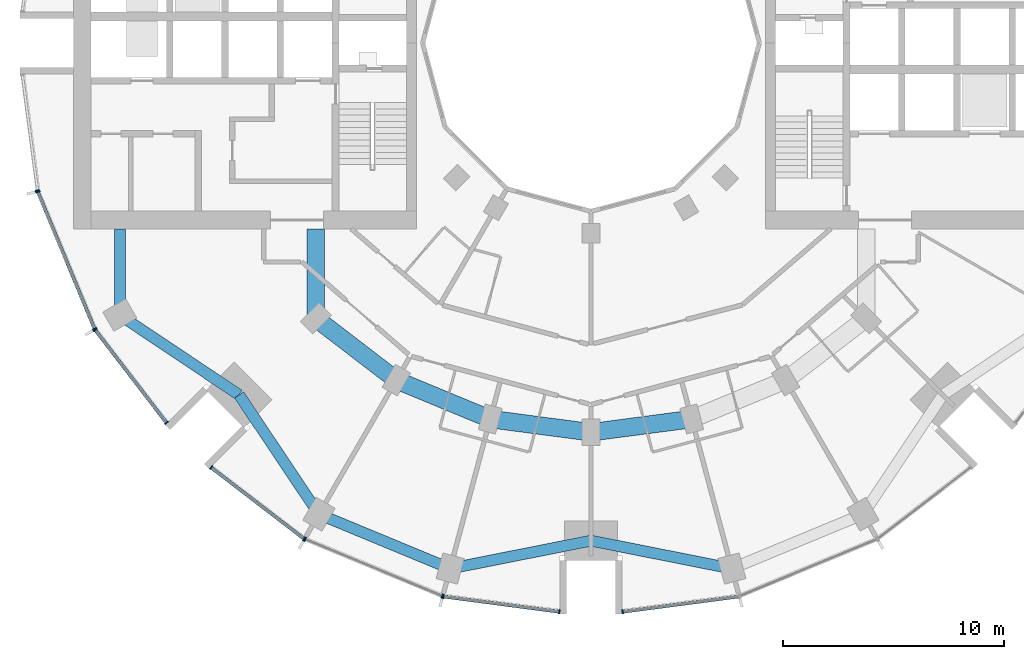
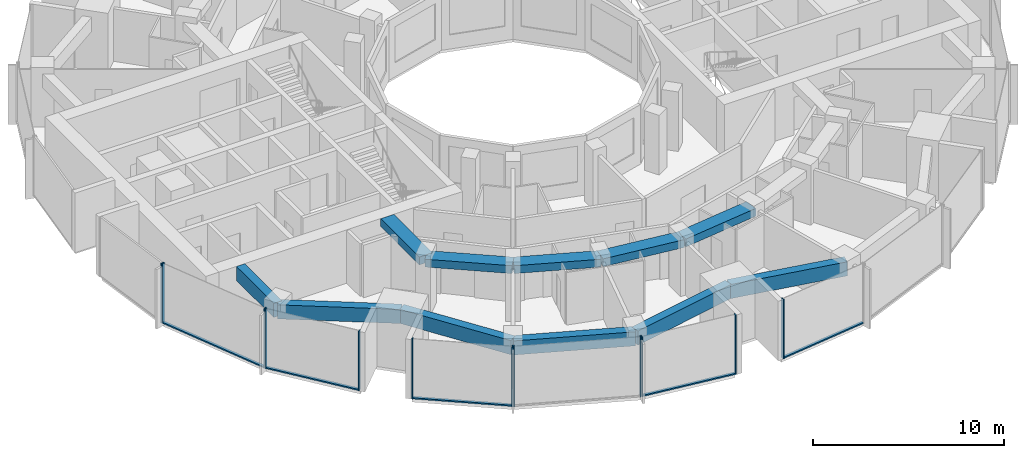
# One storey, part 2 of 15: 17 members, 11 beams, 7 elements without a shape of their own.
"""IFC4 building model written with IfcOpenShell, lengths in metres."""

from ifc_helpers import new_model, si_unit, direction, frame, origin, origin_2d, place, context, subcontext, project, spatial, rectangle, extrude, material, layer, layer_set, material_profile, profile_set, type_object, element, aggregate, save


model = new_model("IFC4")

# Units and contexts
model_context = context("Model", 3, precision=1e-05, world=origin(), true_north=direction((0.0, 1.0)))
body_context = subcontext(model_context, "Body", "Model", "MODEL_VIEW")
ifc_project = project(units=[si_unit("LENGTHUNIT", "METRE"), si_unit("AREAUNIT", "SQUARE_METRE"), si_unit("VOLUMEUNIT", "CUBIC_METRE"), si_unit("PLANEANGLEUNIT", "RADIAN"), si_unit("MASSUNIT", "GRAM", prefix="KILO")], contexts=[model_context])

# Site, building, storey
site_placement = place(None, origin())
site = spatial("IfcSite", under=ifc_project, at=site_placement, CompositionType="ELEMENT")
building_placement = place(site_placement, origin())
building = spatial("IfcBuilding", under=site, at=building_placement, Name="Torre Brocal", CompositionType="ELEMENT")
storey_placement = place(building_placement, frame((0.0, 0.0, 70.60009765625)))
storey = spatial("IfcBuildingStorey", under=building, at=storey_placement, Name="L16", CompositionType="ELEMENT", Elevation=70.60009765625)

# Curtain wall, members
ifc_material_1 = material(Name="Aluminium and glass", Category="aluminium")
ifc_layer_1 = layer(ifc_material_1, 0.199951171875)
ifc_layer_set_1 = layer_set([ifc_layer_1], Name="Aluminium and glass")
curtain_wall_type_1 = type_object("IfcCurtainWallType", Name="CW-1 CURTAIN WALL 3800 HIGH", PredefinedType="NOTDEFINED", material=ifc_layer_set_1)
curtain_wall_1_placement = place(storey_placement, origin())
curtain_wall_1 = element("IfcCurtainWall", 1, at=curtain_wall_1_placement, inside=storey, type_object=curtain_wall_type_1, Name="CW-1 RUN 14", PredefinedType="NOTDEFINED")
ifc_material_2 = material(Name="Aluminium, dark anodised", Category="aluminium")
ifc_material_profile_1 = material_profile(ifc_material_2, rectangle(XDim=0.199951171875, YDim=0.06005859375, at=origin_2d()), Name="CW-1 MULLION 60X200")
ifc_profile_set_1 = profile_set([ifc_material_profile_1], Name="Aluminium, dark anodised")
member_type_1 = type_object("IfcMemberType", Name="CW-1 MULLION 60X200", PredefinedType="MULLION", material=ifc_profile_set_1)
member_1_placement = place(storey_placement, frame((54.994873046875, 68.26904296875, 0.0), z_axis=(0.0, 0.0, 1.0), x_axis=(0.923879532525, 0.382683432333, 0.0)))
member_1 = element("IfcMember", 2, at=member_1_placement, type_object=member_type_1, Name="CW1-1 mullion 1", PredefinedType="MULLION", context=body_context, shape_type="SweptSolid", body=[
    extrude(rectangle(XDim=0.199951171875, YDim=0.06005859375, at=origin_2d()), origin(), (0.0, 0.0, 1.0), 3.7998046875),
])
member_2_placement = place(storey_placement, frame((57.559326171875, 62.078125, 0.0), z_axis=(0.0, 0.0, 1.0), x_axis=(0.923879532525, 0.382683432333, 0.0)))
member_2 = element("IfcMember", 3, at=member_2_placement, type_object=member_type_1, Name="CW1-1 mullion 2", PredefinedType="MULLION", context=body_context, shape_type="SweptSolid", body=[
    extrude(rectangle(XDim=0.199951171875, YDim=0.06005859375, at=origin_2d()), origin(), (0.0, 0.0, 1.0), 3.7998046875),
])

curtain_wall_2_placement = place(storey_placement, origin())
curtain_wall_2 = element("IfcCurtainWall", 4, at=curtain_wall_2_placement, inside=storey, type_object=curtain_wall_type_1, Name="CW-1 RUN 15", PredefinedType="NOTDEFINED")
member_3_placement = place(storey_placement, frame((57.5888671875, 62.026611328125, 0.0), z_axis=(0.0, 0.0, 1.0), x_axis=(0.793353340259, 0.60876142905, 0.0)))
member_3 = element("IfcMember", 5, at=member_3_placement, type_object=member_type_1, Name="CW1-1 mullion 1", PredefinedType="MULLION", context=body_context, shape_type="SweptSolid", body=[
    extrude(rectangle(XDim=0.199951171875, YDim=0.06005859375, at=origin_2d()), origin(), (0.0, 0.0, 1.0), 3.7998046875),
])
member_4_placement = place(storey_placement, frame((60.80859375, 57.83056640625, 0.0), z_axis=(0.0, 0.0, 1.0), x_axis=(0.793353340259, 0.60876142905, 0.0)))
member_4 = element("IfcMember", 6, at=member_4_placement, type_object=member_type_1, Name="CW1-1 mullion 2", PredefinedType="MULLION", context=body_context, shape_type="SweptSolid", body=[
    extrude(rectangle(XDim=0.199951171875, YDim=0.06005859375, at=origin_2d()), origin(), (0.0, 0.0, 1.0), 3.7998046875),
])

curtain_wall_3_placement = place(storey_placement, origin())
curtain_wall_3 = element("IfcCurtainWall", 7, at=curtain_wall_3_placement, inside=storey, type_object=curtain_wall_type_1, Name="CW-1 RUN 16", PredefinedType="NOTDEFINED")
member_5_placement = place(storey_placement, frame((62.83056640625, 55.80859375, 0.0), z_axis=(0.0, 0.0, 1.0), x_axis=(0.60876142905, 0.793353340259, 0.0)))
member_5 = element("IfcMember", 8, at=member_5_placement, type_object=member_type_1, Name="CW1-1 mullion 1", PredefinedType="MULLION", context=body_context, shape_type="SweptSolid", body=[
    extrude(rectangle(XDim=0.199951171875, YDim=0.06005859375, at=origin_2d()), origin(), (0.0, 0.0, 1.0), 3.7998046875),
])
member_6_placement = place(storey_placement, frame((67.026611328125, 52.5888671875, 0.0), z_axis=(0.0, 0.0, 1.0), x_axis=(0.60876142905, 0.793353340259, 0.0)))
member_6 = element("IfcMember", 9, at=member_6_placement, type_object=member_type_1, Name="CW1-1 mullion 2", PredefinedType="MULLION", context=body_context, shape_type="SweptSolid", body=[
    extrude(rectangle(XDim=0.199951171875, YDim=0.06005859375, at=origin_2d()), origin(), (0.0, 0.0, 1.0), 3.7998046875),
])

curtain_wall_4_placement = place(storey_placement, origin())
curtain_wall_4 = element("IfcCurtainWall", 10, at=curtain_wall_4_placement, inside=storey, type_object=curtain_wall_type_1, Name="CW-1 RUN 17", PredefinedType="NOTDEFINED")
member_7_placement = place(storey_placement, frame((67.078125, 52.559326171875, 0.0), z_axis=(0.0, 0.0, 1.0), x_axis=(0.382683432333, 0.923879532525, 0.0)))
member_7 = element("IfcMember", 11, at=member_7_placement, type_object=member_type_1, Name="CW1-1 mullion 1", PredefinedType="MULLION", context=body_context, shape_type="SweptSolid", body=[
    extrude(rectangle(XDim=0.199951171875, YDim=0.06005859375, at=origin_2d()), origin(), (0.0, 0.0, 1.0), 3.7998046875),
])
member_8_placement = place(storey_placement, frame((73.26904296875, 49.994873046875, 0.0), z_axis=(0.0, 0.0, 1.0), x_axis=(0.382683432333, 0.923879532525, 0.0)))
member_8 = element("IfcMember", 12, at=member_8_placement, type_object=member_type_1, Name="CW1-1 mullion 2", PredefinedType="MULLION", context=body_context, shape_type="SweptSolid", body=[
    extrude(rectangle(XDim=0.199951171875, YDim=0.06005859375, at=origin_2d()), origin(), (0.0, 0.0, 1.0), 3.7998046875),
])
aggregate(curtain_wall_4, [member_7, member_8])

curtain_wall_5_placement = place(storey_placement, origin())
curtain_wall_5 = element("IfcCurtainWall", 13, at=curtain_wall_5_placement, inside=storey, type_object=curtain_wall_type_1, Name="CW-1 RUN 18", PredefinedType="NOTDEFINED")
member_9_placement = place(storey_placement, frame((73.32666015625, 49.9794921875, 0.0), z_axis=(0.0, 0.0, 1.0), x_axis=(0.13052619222, 0.991444861374, 0.0)))
member_9 = element("IfcMember", 14, at=member_9_placement, type_object=member_type_1, Name="CW1-1 mullion 1", PredefinedType="MULLION", context=body_context, shape_type="SweptSolid", body=[
    extrude(rectangle(XDim=0.199951171875, YDim=0.06005859375, at=origin_2d()), origin(), (0.0, 0.0, 1.0), 3.7998046875),
])
member_10_placement = place(storey_placement, frame((78.5703125, 49.2890625, 0.0), z_axis=(0.0, 0.0, 1.0), x_axis=(0.13052619222, 0.991444861374, 0.0)))
member_10 = element("IfcMember", 15, at=member_10_placement, type_object=member_type_1, Name="CW1-1 mullion 2", PredefinedType="MULLION", context=body_context, shape_type="SweptSolid", body=[
    extrude(rectangle(XDim=0.199951171875, YDim=0.06005859375, at=origin_2d()), origin(), (0.0, 0.0, 1.0), 3.7998046875),
])

# Curtain wall, member
curtain_wall_6_placement = place(storey_placement, origin())
curtain_wall_6 = element("IfcCurtainWall", 16, at=curtain_wall_6_placement, inside=storey, type_object=curtain_wall_type_1, Name="CW-1 RUN 19", PredefinedType="NOTDEFINED")
member_11_placement = place(storey_placement, frame((81.4296875, 49.2890625, 0.0), z_axis=(0.0, 0.0, 1.0), x_axis=(-0.13052619222, 0.991444861374, 0.0)))
member_11 = element("IfcMember", 17, at=member_11_placement, type_object=member_type_1, Name="CW1-1 mullion 1", PredefinedType="MULLION", context=body_context, shape_type="SweptSolid", body=[
    extrude(rectangle(XDim=0.199951171875, YDim=0.06005859375, at=origin_2d()), origin(), (0.0, 0.0, 1.0), 3.7998046875),
])

# Member
ifc_material_3 = material(Name="Aluminium, dark anodised", Category="aluminium")
ifc_material_profile_2 = material_profile(ifc_material_3, rectangle(XDim=0.159912109375, YDim=0.080078125, at=origin_2d()), Name="CW-1 TRANSOM 160X80")
ifc_profile_set_2 = profile_set([ifc_material_profile_2], Name="Aluminium, dark anodised")
member_type_2 = type_object("IfcMemberType", Name="CW-1 TRANSOM 160X80", PredefinedType="USERDEFINED", material=ifc_profile_set_2)
member_12_placement = place(storey_placement, frame((55.00634765625, 68.241455078125, 0.039794921875), z_axis=(0.38266457234, -0.923887344364, 0.0), x_axis=(0.923887344364, 0.38266457234, 0.0)))
member_12 = element("IfcMember", 18, at=member_12_placement, type_object=member_type_2, Name="CW1-1 transom 1.1", ObjectType="TRANSOM", PredefinedType="USERDEFINED", context=body_context, shape_type="SweptSolid", body=[
    extrude(rectangle(XDim=0.159912109375, YDim=0.080078125, at=origin_2d()), origin(), (0.0, 0.0, 1.0), 6.640869140625),
])

aggregate(curtain_wall_1, [member_1, member_2, member_12])

member_13_placement = place(storey_placement, frame((57.607177734375, 62.0029296875, 0.039794921875), z_axis=(0.60874908096, -0.79336281513, 0.0), x_axis=(0.79336281513, 0.60874908096, 0.0)))
member_13 = element("IfcMember", 19, at=member_13_placement, type_object=member_type_2, Name="CW1-1 transom 1.1", ObjectType="TRANSOM", PredefinedType="USERDEFINED", context=body_context, shape_type="SweptSolid", body=[
    extrude(rectangle(XDim=0.159912109375, YDim=0.080078125, at=origin_2d()), origin(), (0.0, 0.0, 1.0), 5.22900390625),
])

aggregate(curtain_wall_2, [member_3, member_4, member_13])

member_14_placement = place(storey_placement, frame((62.8544921875, 55.790283203125, 0.039794921875), z_axis=(0.79336281513, -0.60874908096, 0.0), x_axis=(0.60874908096, 0.79336281513, 0.0)))
member_14 = element("IfcMember", 20, at=member_14_placement, type_object=member_type_2, Name="CW1-1 transom 1.1", ObjectType="TRANSOM", PredefinedType="USERDEFINED", context=body_context, shape_type="SweptSolid", body=[
    extrude(rectangle(XDim=0.159912109375, YDim=0.080078125, at=origin_2d()), origin(), (0.0, 0.0, 1.0), 5.22900390625),
])

aggregate(curtain_wall_3, [member_5, member_6, member_14])

member_15_placement = place(storey_placement, frame((73.356201171875, 49.9755859375, 0.039794921875), z_axis=(0.991442690863, -0.130542677827, 0.0), x_axis=(0.130542677827, 0.991442690863, 0.0)))
member_15 = element("IfcMember", 21, at=member_15_placement, type_object=member_type_2, Name="CW1-1 transom 1.1", ObjectType="TRANSOM", PredefinedType="USERDEFINED", context=body_context, shape_type="SweptSolid", body=[
    extrude(rectangle(XDim=0.159912109375, YDim=0.080078125, at=origin_2d()), origin(), (0.0, 0.0, 1.0), 5.22900390625),
])

aggregate(curtain_wall_5, [member_9, member_10, member_15])

member_16_placement = place(storey_placement, frame((81.45947265625, 49.29296875, 0.039794921875), z_axis=(0.991442690863, 0.130542677827, 0.0), x_axis=(-0.130542677827, 0.991442690863, 0.0)))
member_16 = element("IfcMember", 22, at=member_16_placement, type_object=member_type_2, Name="CW1-1 transom 1.1", ObjectType="TRANSOM", PredefinedType="USERDEFINED", context=body_context, shape_type="SweptSolid", body=[
    extrude(rectangle(XDim=0.159912109375, YDim=0.080078125, at=origin_2d()), origin(), (0.0, 0.0, 1.0), 5.22900390625),
])

aggregate(curtain_wall_6, [member_11, member_16])

# Curtain wall, member
ifc_material_4 = material(Name="Aluminium and glass", Category="aluminium")
ifc_layer_2 = layer(ifc_material_4, 0.199951171875)
ifc_layer_set_2 = layer_set([ifc_layer_2], Name="Aluminium and glass")
curtain_wall_type_2 = type_object("IfcCurtainWallType", Name="CW-1B CURTAIN WALL 3800 HIGH", PredefinedType="NOTDEFINED", material=ifc_layer_set_2)
curtain_wall_7_placement = place(storey_placement, origin())
curtain_wall_7 = element("IfcCurtainWall", 23, at=curtain_wall_7_placement, inside=storey, type_object=curtain_wall_type_2, Name="CW-1B RUN 13", PredefinedType="NOTDEFINED")
ifc_material_5 = material(Name="Aluminium, dark anodised", Category="aluminium")
ifc_material_profile_3 = material_profile(ifc_material_5, rectangle(XDim=0.199951171875, YDim=0.06005859375, at=origin_2d()), Name="CW-1B MULLION 60X200")
ifc_profile_set_3 = profile_set([ifc_material_profile_3], Name="Aluminium, dark anodised")
member_type_3 = type_object("IfcMemberType", Name="CW-1B MULLION 60X200", PredefinedType="MULLION", material=ifc_profile_set_3)
member_17_placement = place(storey_placement, frame((54.9794921875, 68.32666015625, 0.0), z_axis=(0.0, 0.0, 1.0), x_axis=(0.991444861374, 0.13052619222, 0.0)))
member_17 = element("IfcMember", 24, at=member_17_placement, type_object=member_type_3, Name="CW1B-1 mullion 2", PredefinedType="MULLION", context=body_context, shape_type="SweptSolid", body=[
    extrude(rectangle(XDim=0.199951171875, YDim=0.06005859375, at=origin_2d()), origin(), (0.0, 0.0, 1.0), 3.7998046875),
])
aggregate(curtain_wall_7, [member_17])

# Beams
ifc_material_6 = material(Name="Concrete C50", Category="concrete")
ifc_material_profile_4 = material_profile(ifc_material_6, rectangle(XDim=0.800048828125, YDim=0.5, at=origin_2d()), Name="RC 800X500")
ifc_profile_set_4 = profile_set([ifc_material_profile_4], Name="Concrete C50")
beam_type_1 = type_object("IfcBeamType", Name="RC BEAM 800X500 C50 TOP 3400", PredefinedType="BEAM", material=ifc_profile_set_4)
beam_1_placement = place(storey_placement, frame((67.554931640625, 62.554931640625, 3.14990234375), z_axis=(0.0, 1.0, 0.0), x_axis=(-1.0, 0.0, 0.0)))
element("IfcBeam", 25, at=beam_1_placement, inside=storey, type_object=beam_type_1, Name="Beam BT-21", PredefinedType="BEAM", context=body_context, shape_type="SweptSolid", body=[
    extrude(rectangle(XDim=0.800048828125, YDim=0.5, at=origin_2d()), origin(), (0.0, 0.0, 1.0), 4.045166015625),
])
beam_2_placement = place(storey_placement, frame((67.554931640625, 62.554931640625, 3.14990234375), z_axis=(0.793358265959, -0.6087550097, 0.0), x_axis=(0.6087550097, 0.793358265959, 0.0)))
element("IfcBeam", 26, at=beam_2_placement, inside=storey, type_object=beam_type_1, Name="Beam BT-21", PredefinedType="BEAM", context=body_context, shape_type="SweptSolid", body=[
    extrude(rectangle(XDim=0.800048828125, YDim=0.5, at=origin_2d()), origin(), (0.0, 0.0, 1.0), 4.594482421875),
])
beam_3_placement = place(storey_placement, frame((71.199951171875, 59.758056640625, 3.14990234375), z_axis=(0.923878240166, -0.382686552348, 0.0), x_axis=(0.382686552348, 0.923878240166, 0.0)))
element("IfcBeam", 27, at=beam_3_placement, inside=storey, type_object=beam_type_1, Name="Beam BT-21", PredefinedType="BEAM", context=body_context, shape_type="SweptSolid", body=[
    extrude(rectangle(XDim=0.800048828125, YDim=0.5, at=origin_2d()), origin(), (0.0, 0.0, 1.0), 4.5947265625),
])
for number, where, z_axis, x_axis, name in (
    (28, (75.44482421875, 57.999755859375, 3.14990234375), (0.991440544449, -0.130558978332, 0.0), (0.130558978332, 0.991440544449, 0.0), "Beam BT-21"),
    (29, (80.0, 57.39990234375, 3.14990234375), (0.991440544449, 0.130558978332, 0.0), (-0.130558978332, 0.991440544449, 0.0), "Beam BT-21"),
):
    element("IfcBeam", number, at=place(storey_placement, frame(where, z_axis=z_axis, x_axis=x_axis)), inside=storey, type_object=beam_type_1, Name=name, PredefinedType="BEAM", context=body_context, shape_type="SweptSolid", body=[
        extrude(rectangle(XDim=0.800048828125, YDim=0.5, at=origin_2d()), origin(), (0.0, 0.0, 1.0), 4.594482421875),
    ])
ifc_material_7 = material(Name="Concrete C50", Category="concrete")
ifc_material_profile_5 = material_profile(ifc_material_7, rectangle(XDim=0.5, YDim=0.89990234375, at=origin_2d()), Name="RC 500X900")
ifc_profile_set_5 = profile_set([ifc_material_profile_5], Name="Concrete C50")
beam_type_2 = type_object("IfcBeamType", Name="RC SPANDREL BEAM 500X900 C50 TOP 3400", PredefinedType="SPANDREL", material=ifc_profile_set_5)
beam_4_placement = place(storey_placement, frame((58.69580078125, 62.699951171875, 2.949951171875), z_axis=(0.0, 1.0, 0.0), x_axis=(-1.0, 0.0, 0.0)))
element("IfcBeam", 30, at=beam_4_placement, inside=storey, type_object=beam_type_2, Name="Beam BT-22", PredefinedType="SPANDREL", context=body_context, shape_type="SweptSolid", body=[
    extrude(rectangle(XDim=0.5, YDim=0.89990234375, at=origin_2d()), origin(), (0.0, 0.0, 1.0), 3.900146484375),
])
for number, where, z_axis, x_axis, name in (
    (31, (58.69580078125, 62.699951171875, 2.949951171875), (0.831076844476, -0.556157602282, 0.0), (0.556157602282, 0.831076844476, 0.0), "Beam BT-22"),
    (32, (64.090087890625, 59.090087890625, 2.949951171875), (0.556157602282, -0.831076844476, 0.0), (0.831076844476, 0.556157602282, 0.0), "Beam BT-22"),
):
    element("IfcBeam", number, at=place(storey_placement, frame(where, z_axis=z_axis, x_axis=x_axis)), inside=storey, type_object=beam_type_2, Name=name, PredefinedType="SPANDREL", context=body_context, shape_type="SweptSolid", body=[
        extrude(rectangle(XDim=0.5, YDim=0.89990234375, at=origin_2d()), origin(), (0.0, 0.0, 1.0), 6.49072265625),
    ])
beam_5_placement = place(storey_placement, frame((67.699951171875, 53.69580078125, 2.949951171875), z_axis=(0.923882462513, -0.382676358639, 0.0), x_axis=(0.382676358639, 0.923882462513, 0.0)))
element("IfcBeam", 33, at=beam_5_placement, inside=storey, type_object=beam_type_2, Name="Beam BT-22", PredefinedType="SPANDREL", context=body_context, shape_type="SweptSolid", body=[
    extrude(rectangle(XDim=0.5, YDim=0.89990234375, at=origin_2d()), origin(), (0.0, 0.0, 1.0), 6.421875),
])
for number, where, z_axis, x_axis, name in (
    (34, (73.633056640625, 51.23828125, 2.949951171875), (0.980924907484, 0.194387051723, 0.0), (-0.194387051723, 0.980924907484, 0.0), "Beam BT-22"),
    (35, (80.0, 52.5, 2.949951171875), (0.980924907484, -0.194387051723, 0.0), (0.194387051723, 0.980924907484, 0.0), "Beam BT-22"),
):
    element("IfcBeam", number, at=place(storey_placement, frame(where, z_axis=z_axis, x_axis=x_axis)), inside=storey, type_object=beam_type_2, Name=name, PredefinedType="SPANDREL", context=body_context, shape_type="SweptSolid", body=[
        extrude(rectangle(XDim=0.5, YDim=0.89990234375, at=origin_2d()), origin(), (0.0, 0.0, 1.0), 6.49072265625),
    ])

save(model, "model.ifc")
